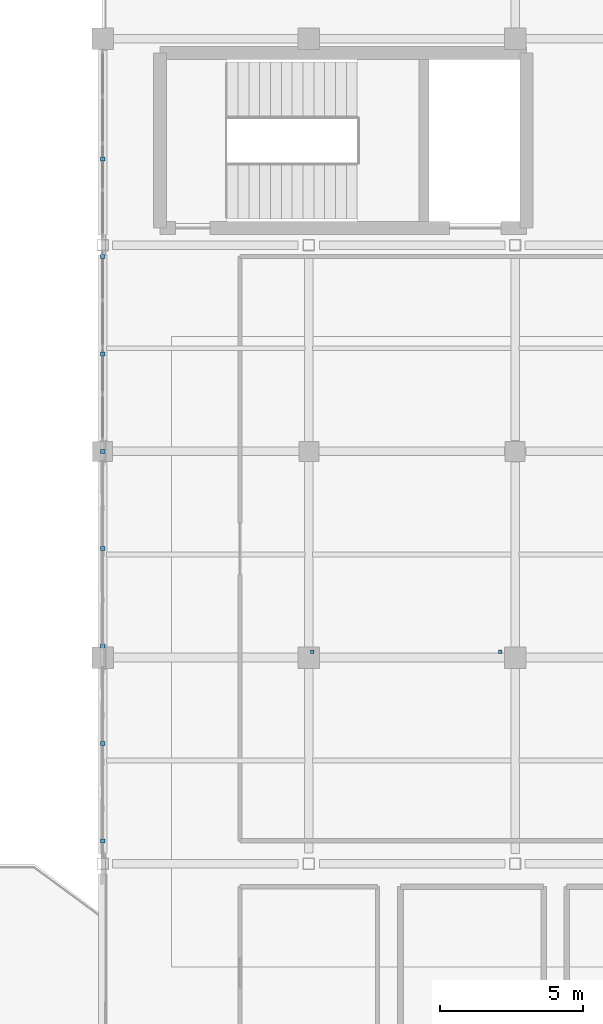
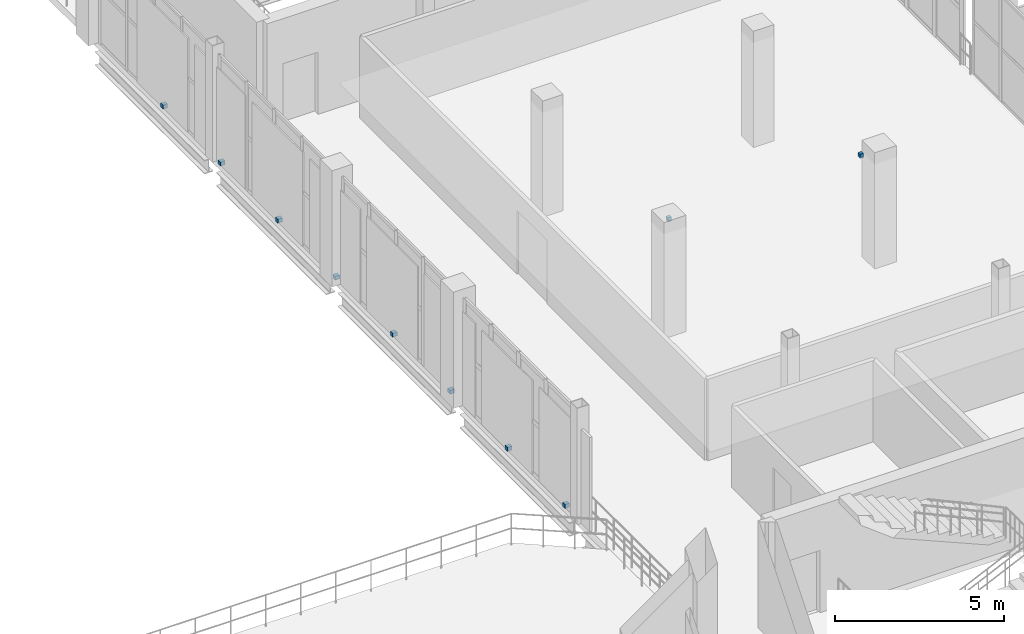
# One storey, part 114 of 130: 10 discrete accessories.
"""IFC4 building model written with IfcOpenShell, lengths in metres."""

from ifc_helpers import new_model, si_unit, direction, frame, origin, origin_2d, place, context, subcontext, project, spatial, rectangle, extrude, material, type_object, element, save


model = new_model("IFC4")

# Units and contexts
model_context = context("Model", 3, precision=1e-05, world=origin(), true_north=direction((0.0, 1.0)))
body_context = subcontext(model_context, "Body", "Model", "MODEL_VIEW")
ifc_project = project(units=[si_unit("LENGTHUNIT", "METRE"), si_unit("AREAUNIT", "SQUARE_METRE"), si_unit("VOLUMEUNIT", "CUBIC_METRE"), si_unit("PLANEANGLEUNIT", "RADIAN"), si_unit("MASSUNIT", "GRAM", prefix="KILO")], contexts=[model_context])

# Site, building, storey
site_placement = place(None, origin())
site = spatial("IfcSite", under=ifc_project, at=site_placement, CompositionType="ELEMENT")
building_placement = place(site_placement, origin())
building = spatial("IfcBuilding", under=site, at=building_placement, Name="Qandorah Velis Arena", CompositionType="ELEMENT")
storey_placement = place(building_placement, frame((0.0, 0.0, 9.60009765625)))
storey = spatial("IfcBuildingStorey", under=building, at=storey_placement, Name="L02", CompositionType="ELEMENT", Elevation=9.60009765625)

# Discrete accessories
ifc_material = material(Name="Stainless steel 316", Category="steel")
discrete_accessory_type = type_object("IfcDiscreteAccessoryType", Name="ARC-ACC-BRK", PredefinedType="BRACKET", material=ifc_material)
for number, where, z_axis, x_axis, name in (
    (1, (151.199951171875, 58.39990234375, -0.02001953125), (0.0, 0.0, 1.0), (1.0, 0.0, 0.0), "Mashrabiya screen bracket MBRK-01"),
    (2, (151.199951171875, 61.800048828125, -0.02001953125), (0.0, 0.0, 1.0), (1.0, 0.0, 0.0), "Mashrabiya screen bracket MBRK-02"),
    (3, (151.199951171875, 65.199951171875, -0.02001953125), (0.0, 0.0, 1.0), (1.0, 0.0, 0.0), "Mashrabiya screen bracket MBRK-03"),
    (4, (151.199951171875, 68.60009765625, -0.02001953125), (0.0, 0.0, 1.0), (1.0, 0.0, 0.0), "Mashrabiya screen bracket MBRK-04"),
    (5, (151.199951171875, 72.0, -0.02001953125), (0.0, 0.0, 1.0), (1.0, 0.0, 0.0), "Mashrabiya screen bracket MBRK-05"),
    (6, (151.199951171875, 75.39990234375, -0.02001953125), (0.0, 0.0, 1.0), (1.0, 0.0, 0.0), "Mashrabiya screen bracket MBRK-06"),
    (7, (151.199951171875, 78.800048828125, -0.02001953125), (0.0, 0.0, 1.0), (1.0, 0.0, 0.0), "Mashrabiya screen bracket MBRK-07"),
    (8, (151.199951171875, 82.199951171875, -0.02001953125), (0.0, 0.0, 1.0), (1.0, 0.0, 0.0), "Mashrabiya screen bracket MBRK-08"),
):
    element("IfcDiscreteAccessory", number, at=place(storey_placement, frame(where, z_axis=z_axis, x_axis=x_axis)), inside=storey, type_object=discrete_accessory_type, Name=name, PredefinedType="BRACKET", context=body_context, shape_type="SweptSolid", body=[
        extrude(rectangle(XDim=0.159912109375, YDim=0.139892578125, at=origin_2d()), origin(), (0.0, 0.0, 1.0), 0.139892578125),
    ])
for number, where, z_axis, x_axis, name in (
    (9, (158.52001953125, 65.0, 3.759765625), (0.0, 0.0, 1.0), (1.0, 0.0, 0.0), "Ceiling cloud hanger bracket HGR-03.1"),
    (10, (165.080078125, 65.0, 3.759765625), (0.0, 0.0, 1.0), (1.0, 0.0, 0.0), "Ceiling cloud hanger bracket HGR-03.2"),
):
    element("IfcDiscreteAccessory", number, at=place(storey_placement, frame(where, z_axis=z_axis, x_axis=x_axis)), inside=storey, type_object=discrete_accessory_type, Name=name, PredefinedType="BRACKET", context=body_context, shape_type="SweptSolid", body=[
        extrude(rectangle(XDim=0.1201171875, YDim=0.1201171875, at=origin_2d()), origin(), (0.0, 0.0, 1.0), 0.139892578125),
    ])

save(model, "model.ifc")
